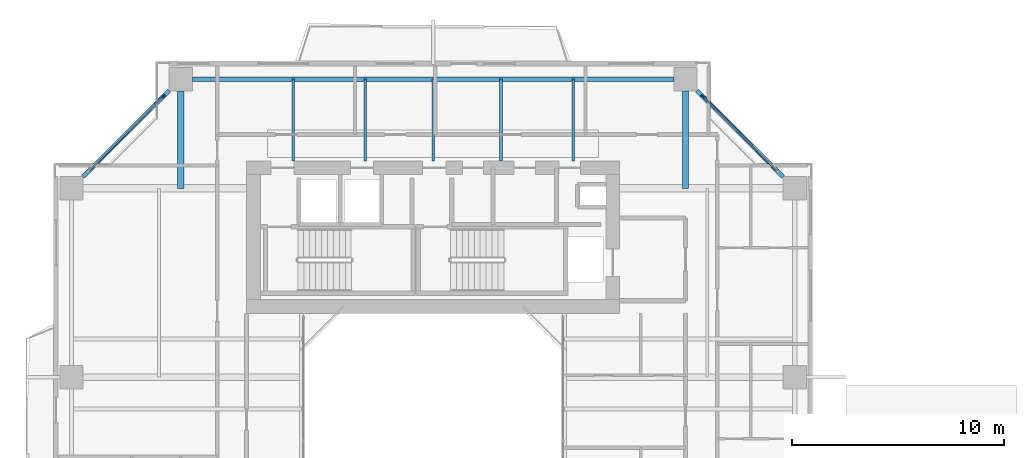
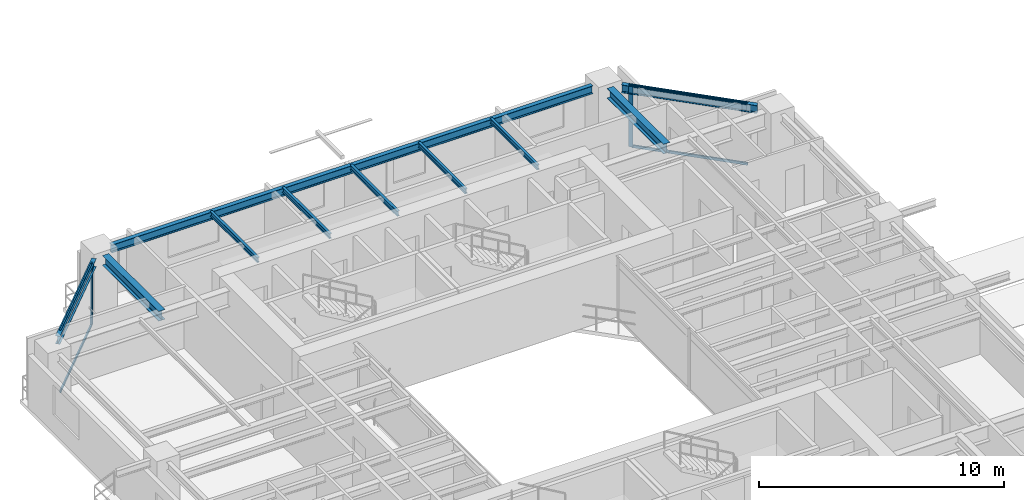
# One storey, part 10 of 23: 10 beams, 6 members, 2 elements without a shape of their own.
"""IFC4 building model written with IfcOpenShell, lengths in metres."""

from ifc_helpers import new_model, si_unit, direction, frame, origin, origin_2d, place, context, subcontext, project, spatial, rectangle, i_section, extrude, source, transform, mapped, material, layer, layer_set, material_profile, profile_set, type_object, element, aggregate, save


model = new_model("IFC4")

# Units and contexts
model_context = context("Model", 3, precision=1e-05, world=origin(), true_north=direction((0.0, 1.0)))
body_context = subcontext(model_context, "Body", "Model", "MODEL_VIEW")
ifc_project = project(units=[si_unit("LENGTHUNIT", "METRE"), si_unit("AREAUNIT", "SQUARE_METRE"), si_unit("VOLUMEUNIT", "CUBIC_METRE"), si_unit("PLANEANGLEUNIT", "RADIAN"), si_unit("MASSUNIT", "GRAM", prefix="KILO"), si_unit("THERMODYNAMICTEMPERATUREUNIT", "KELVIN"), si_unit("POWERUNIT", "WATT")], contexts=[model_context])

# Site, building, storey
site_placement = place(None, origin())
site = spatial("IfcSite", under=ifc_project, at=site_placement, CompositionType="ELEMENT")
building_placement = place(site_placement, origin())
building = spatial("IfcBuilding", under=site, at=building_placement, Name="Qiaomeng Ring Towers", CompositionType="ELEMENT")
storey_placement = place(building_placement, frame((0.0, 0.0, 97.0)))
storey = spatial("IfcBuildingStorey", under=building, at=storey_placement, Name="L27", CompositionType="ELEMENT", Elevation=97.0)

# Beams
ifc_material_1 = material(Name="Steel Q355B", Category="steel")
ifc_material_profile_1 = material_profile(ifc_material_1, i_section(OverallWidth=0.199951171875, OverallDepth=0.39990234375, WebThickness=0.008056640625, FlangeThickness=0.012939453125, FilletRadius=0.01611328125, at=origin_2d()), Name="HN 400x200x8x13")
ifc_profile_set_1 = profile_set([ifc_material_profile_1], Name="Steel Q355B")
beam_type_1 = type_object("IfcBeamType", Name="STR-BM-HN400", PredefinedType="SPANDREL", material=ifc_profile_set_1)
shared_shape_1 = source(origin(), body_context, "Body", "SweptSolid", [
    extrude(i_section(OverallWidth=0.199951171875, OverallDepth=0.39990234375, WebThickness=0.008056640625, FlangeThickness=0.012939453125, FilletRadius=0.01611328125, at=origin_2d()), origin(), (0.0, 0.0, 1.0), 22.7021484375),
])
beam_placement = place(storey_placement, frame((30.35107421875, 40.050048828125, 2.8701171875), z_axis=(-1.0, 0.0, 0.0), x_axis=(0.0, -1.0, 0.0)))
element("IfcBeam", 1, at=beam_placement, inside=storey, type_object=beam_type_1, Name="L27 beam STR-SP-L27-T1-N2-N1", PredefinedType="SPANDREL", context=body_context, shape_type="MappedRepresentation", body=[
    mapped(shared_shape_1, transform((0.0, 0.0, 0.0), x_axis=(1.0, 0.0, 0.0), y_axis=(0.0, 1.0, 0.0), z_axis=(0.0, 0.0, 1.0), scale=1.0)),
])
shared_shape_2 = source(origin(), body_context, "Body", "SweptSolid", [
    extrude(i_section(OverallWidth=0.199951171875, OverallDepth=0.39990234375, WebThickness=0.008056640625, FlangeThickness=0.012939453125, FilletRadius=0.01611328125, at=origin_2d()), origin(), (0.0, 0.0, 1.0), 5.729736328125),
])
for number, where, z_axis, x_axis, name in (
    (2, (35.500732421875, 35.44921875, 2.8701171875), (-0.707106781187, 0.707106781187, 0.0), (-0.707106781187, -0.707106781187, 0.0), "L27 beam STR-SP-L27-T1-E4-N2"),
    (3, (6.55078125, 39.500732421875, 2.8701171875), (-0.707106781187, -0.707106781187, 0.0), (0.707106781187, -0.707106781187, 0.0), "L27 beam STR-SP-L27-T1-N1-W4"),
):
    element("IfcBeam", number, at=place(storey_placement, frame(where, z_axis=z_axis, x_axis=x_axis)), inside=storey, type_object=beam_type_1, Name=name, PredefinedType="SPANDREL", context=body_context, shape_type="MappedRepresentation", body=[
        mapped(shared_shape_2, transform((0.0, 0.0, 0.0), x_axis=(1.0, 0.0, 0.0), y_axis=(0.0, 1.0, 0.0), z_axis=(0.0, 0.0, 1.0), scale=1.0)),
    ])
ifc_material_profile_2 = material_profile(ifc_material_1, i_section(OverallWidth=0.300048828125, OverallDepth=0.488037109375, WebThickness=0.010986328125, FlangeThickness=0.01806640625, FilletRadius=0.02587890625, at=origin_2d()), Name="HM 488x300x11x18")
ifc_profile_set_2 = profile_set([ifc_material_profile_2], Name="Steel Q355B")
beam_type_2 = type_object("IfcBeamType", Name="STR-BM-HM488", PredefinedType="BEAM", material=ifc_profile_set_2)
shared_shape_3 = source(origin(), body_context, "Body", "SweptSolid", [
    extrude(i_section(OverallWidth=0.300048828125, OverallDepth=0.488037109375, WebThickness=0.010986328125, FlangeThickness=0.01806640625, FilletRadius=0.02587890625, at=origin_2d()), origin(), (0.0, 0.0, 1.0), 4.60107421875),
])
for number, where, z_axis, x_axis, name in (
    (4, (7.10009765625, 39.5009765625, 2.825927734375), (0.0, -1.0, 0.0), (1.0, 0.0, 0.0), "L27 beam STR-BM-L27-T1-RAD-N1"),
    (5, (30.89990234375, 39.5009765625, 2.825927734375), (0.0, -1.0, 0.0), (1.0, 0.0, 0.0), "L27 beam STR-BM-L27-T1-RAD-N2"),
):
    element("IfcBeam", number, at=place(storey_placement, frame(where, z_axis=z_axis, x_axis=x_axis)), inside=storey, type_object=beam_type_2, Name=name, PredefinedType="BEAM", context=body_context, shape_type="MappedRepresentation", body=[
        mapped(shared_shape_3, transform((0.0, 0.0, 0.0), x_axis=(1.0, 0.0, 0.0), y_axis=(0.0, 1.0, 0.0), z_axis=(0.0, 0.0, 1.0), scale=1.0)),
    ])
ifc_material_profile_3 = material_profile(ifc_material_1, i_section(OverallWidth=0.125, OverallDepth=0.25, WebThickness=0.006103515625, FlangeThickness=0.009033203125, FilletRadius=0.011962890625, at=origin_2d()), Name="HN 250x125x6x9")
ifc_profile_set_3 = profile_set([ifc_material_profile_3], Name="Steel Q355B")
beam_type_3 = type_object("IfcBeamType", Name="STR-BM-HN250", PredefinedType="JOIST", material=ifc_profile_set_3)
shared_shape_4 = source(origin(), body_context, "Body", "SweptSolid", [
    extrude(i_section(OverallWidth=0.125, OverallDepth=0.25, WebThickness=0.006103515625, FlangeThickness=0.009033203125, FilletRadius=0.011962890625, at=origin_2d()), origin(), (0.0, 0.0, 1.0), 3.85009765625),
])
for number, where, z_axis, x_axis, name in (
    (6, (12.39990234375, 36.199951171875, 2.945068359375), (0.0, 1.0, 0.0), (-1.0, 0.0, 0.0), "L27 beam STR-JST-L27-T1N-1"),
    (7, (15.800048828125, 36.199951171875, 2.945068359375), (0.0, 1.0, 0.0), (-1.0, 0.0, 0.0), "L27 beam STR-JST-L27-T1N-2"),
    (8, (19.0, 36.199951171875, 2.945068359375), (0.0, 1.0, 0.0), (-1.0, 0.0, 0.0), "L27 beam STR-JST-L27-T1N-3"),
    (9, (22.199951171875, 36.199951171875, 2.945068359375), (0.0, 1.0, 0.0), (-1.0, 0.0, 0.0), "L27 beam STR-JST-L27-T1N-4"),
    (10, (25.60009765625, 36.199951171875, 2.945068359375), (0.0, 1.0, 0.0), (-1.0, 0.0, 0.0), "L27 beam STR-JST-L27-T1N-5"),
):
    element("IfcBeam", number, at=place(storey_placement, frame(where, z_axis=z_axis, x_axis=x_axis)), inside=storey, type_object=beam_type_3, Name=name, PredefinedType="JOIST", context=body_context, shape_type="MappedRepresentation", body=[
        mapped(shared_shape_4, transform((0.0, 0.0, 0.0), x_axis=(1.0, 0.0, 0.0), y_axis=(0.0, 1.0, 0.0), z_axis=(0.0, 0.0, 1.0), scale=1.0)),
    ])

# Curtain wall, member
ifc_material_2 = material(Name="Fluorocarbon dark-grey aluminium", Category="aluminium")
ifc_layer = layer(ifc_material_2, 0.14990234375, Name="Fluorocarbon dark-grey aluminium")
ifc_layer_set = layer_set([ifc_layer], Name="Fluorocarbon dark-grey aluminium")
curtain_wall_type = type_object("IfcCurtainWallType", Name="ARC-CW-3", PredefinedType="NOTDEFINED", material=ifc_layer_set)
curtain_wall_1_placement = place(storey_placement, origin())
curtain_wall_1 = element("IfcCurtainWall", 11, at=curtain_wall_1_placement, inside=storey, type_object=curtain_wall_type, Name="L27 Curtain Wall CW3", PredefinedType="NOTDEFINED")
ifc_material_profile_4 = material_profile(ifc_material_2, rectangle(XDim=0.070068359375, YDim=0.179931640625, at=origin_2d()), Name="ALU MULL 70x180")
ifc_profile_set_4 = profile_set([ifc_material_profile_4], Name="Fluorocarbon dark-grey aluminium")
member_type_1 = type_object("IfcMemberType", Name="ARC-CWM-160", PredefinedType="MULLION", material=ifc_profile_set_4)
shared_shape_5 = source(origin(), body_context, "Body", "SweptSolid", [
    extrude(rectangle(XDim=0.070068359375, YDim=0.179931640625, at=origin_2d()), origin(), (0.0, 0.0, 1.0), 3.070068359375),
])
member_1_placement = place(storey_placement, frame((31.71484375, 39.2353515625, 0.0), z_axis=(0.0, 0.0, 1.0), x_axis=(-0.707106781187, -0.707106781187, 0.0)))
member_1 = element("IfcMember", 12, at=member_1_placement, type_object=member_type_1, Name="CW3 mullion 2", PredefinedType="MULLION", context=body_context, shape_type="MappedRepresentation", body=[
    mapped(shared_shape_5, transform((0.0, 0.0, 0.0), x_axis=(1.0, 0.0, 0.0), y_axis=(0.0, 1.0, 0.0), z_axis=(0.0, 0.0, 1.0), scale=1.0)),
])

curtain_wall_2_placement = place(storey_placement, origin())
curtain_wall_2 = element("IfcCurtainWall", 13, at=curtain_wall_2_placement, inside=storey, type_object=curtain_wall_type, Name="L27 Curtain Wall CW3", PredefinedType="NOTDEFINED")
member_2_placement = place(storey_placement, frame((6.28515625, 39.2353515625, 0.0), z_axis=(0.0, 0.0, 1.0), x_axis=(0.707106781187, -0.707106781187, 0.0)))
member_2 = element("IfcMember", 14, at=member_2_placement, type_object=member_type_1, Name="CW3 mullion 1", PredefinedType="MULLION", context=body_context, shape_type="MappedRepresentation", body=[
    mapped(shared_shape_5, transform((0.0, 0.0, 0.0), x_axis=(1.0, 0.0, 0.0), y_axis=(0.0, 1.0, 0.0), z_axis=(0.0, 0.0, 1.0), scale=1.0)),
])

# Member
ifc_material_profile_5 = material_profile(ifc_material_2, rectangle(XDim=0.06494140625, YDim=0.1298828125, at=origin_2d()), Name="ALU TRAN 65x130")
ifc_profile_set_5 = profile_set([ifc_material_profile_5], Name="Fluorocarbon dark-grey aluminium")
member_type_2 = type_object("IfcMemberType", Name="ARC-CWT-120", PredefinedType="USERDEFINED", material=ifc_profile_set_5)
shared_shape_6 = source(origin(), body_context, "Body", "SweptSolid", [
    extrude(rectangle(XDim=0.06494140625, YDim=0.1298828125, at=origin_2d()), origin(), (0.0, 0.0, 1.0), 4.90869140625),
])
member_3_placement = place(storey_placement, frame((35.21044921875, 35.739501953125, 0.032470703125), z_axis=(-0.707106781187, 0.707106781187, 0.0), x_axis=(-0.707106781187, -0.707106781187, 0.0)))
member_3 = element("IfcMember", 15, at=member_3_placement, type_object=member_type_2, Name="CW3 transom 1.1", ObjectType="TRANSOM", PredefinedType="USERDEFINED", context=body_context, shape_type="MappedRepresentation", body=[
    mapped(shared_shape_6, transform((0.0, 0.0, 0.0), x_axis=(1.0, 0.0, 0.0), y_axis=(0.0, 1.0, 0.0), z_axis=(0.0, 0.0, 1.0), scale=1.0)),
])

member_4_placement = place(storey_placement, frame((35.21044921875, 35.739501953125, 3.03759765625), z_axis=(-0.707106781187, 0.707106781187, 0.0), x_axis=(-0.707106781187, -0.707106781187, 0.0)))
member_4 = element("IfcMember", 16, at=member_4_placement, type_object=member_type_2, Name="CW3 transom 1.2", ObjectType="TRANSOM", PredefinedType="USERDEFINED", context=body_context, shape_type="MappedRepresentation", body=[
    mapped(shared_shape_6, transform((0.0, 0.0, 0.0), x_axis=(1.0, 0.0, 0.0), y_axis=(0.0, 1.0, 0.0), z_axis=(0.0, 0.0, 1.0), scale=1.0)),
])

aggregate(curtain_wall_1, [member_1, member_3, member_4])

member_5_placement = place(storey_placement, frame((6.260498046875, 39.21044921875, 0.032470703125), z_axis=(-0.707106781187, -0.707106781187, 0.0), x_axis=(0.707106781187, -0.707106781187, 0.0)))
member_5 = element("IfcMember", 17, at=member_5_placement, type_object=member_type_2, Name="CW3 transom 1.1", ObjectType="TRANSOM", PredefinedType="USERDEFINED", context=body_context, shape_type="MappedRepresentation", body=[
    mapped(shared_shape_6, transform((0.0, 0.0, 0.0), x_axis=(1.0, 0.0, 0.0), y_axis=(0.0, 1.0, 0.0), z_axis=(0.0, 0.0, 1.0), scale=1.0)),
])

member_6_placement = place(storey_placement, frame((6.260498046875, 39.21044921875, 3.03759765625), z_axis=(-0.707106781187, -0.707106781187, 0.0), x_axis=(0.707106781187, -0.707106781187, 0.0)))
member_6 = element("IfcMember", 18, at=member_6_placement, type_object=member_type_2, Name="CW3 transom 1.2", ObjectType="TRANSOM", PredefinedType="USERDEFINED", context=body_context, shape_type="MappedRepresentation", body=[
    mapped(shared_shape_6, transform((0.0, 0.0, 0.0), x_axis=(1.0, 0.0, 0.0), y_axis=(0.0, 1.0, 0.0), z_axis=(0.0, 0.0, 1.0), scale=1.0)),
])

aggregate(curtain_wall_2, [member_2, member_5, member_6])

save(model, "model.ifc")
